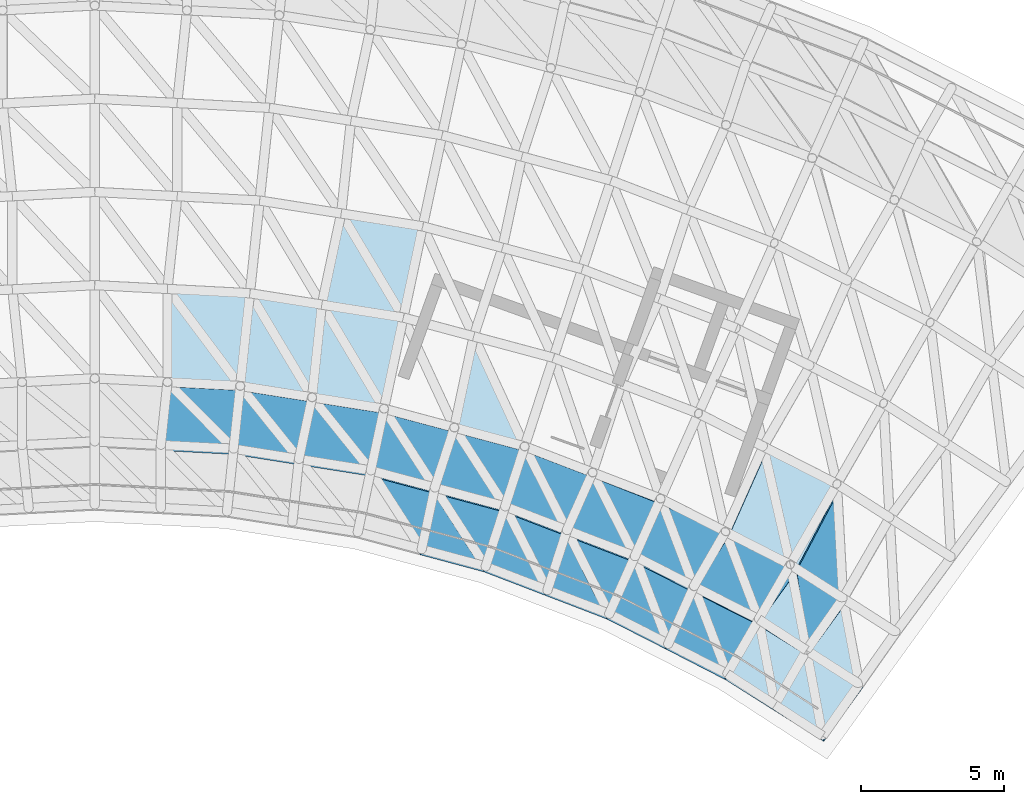
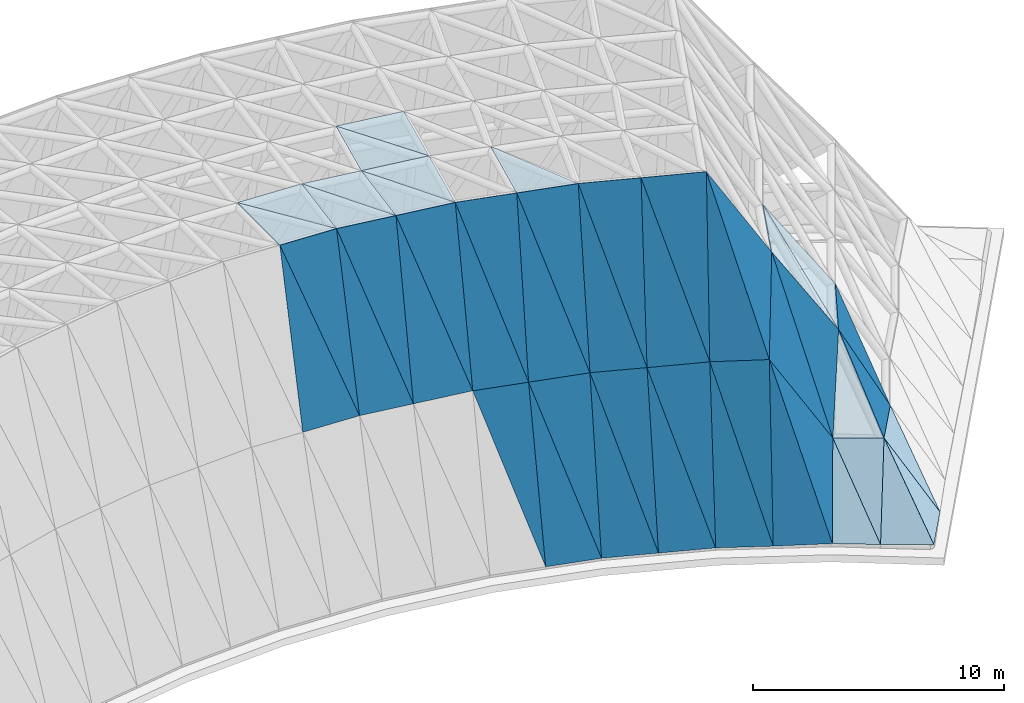
# One storey, part 15 of 20: 48 plates, 25 elements without a shape of their own.
"""IFC4 building model written with IfcOpenShell, lengths in metres."""

from ifc_helpers import new_model, si_unit, direction, frame, origin, place, context, subcontext, project, spatial, polyline, outline, extrude, material, layer, layer_set, type_object, element, aggregate, save


model = new_model("IFC4")

# Units and contexts
model_context = context("Model", 3, precision=1e-05, world=origin(), true_north=direction((0.0, 1.0)))
body_context = subcontext(model_context, "Body", "Model", "MODEL_VIEW")
ifc_project = project(units=[si_unit("LENGTHUNIT", "METRE"), si_unit("AREAUNIT", "SQUARE_METRE"), si_unit("VOLUMEUNIT", "CUBIC_METRE"), si_unit("PLANEANGLEUNIT", "RADIAN"), si_unit("MASSUNIT", "GRAM", prefix="KILO")], contexts=[model_context])

# Site, building, storey
site_placement = place(None, origin())
site = spatial("IfcSite", under=ifc_project, at=site_placement, CompositionType="ELEMENT")
building_placement = place(site_placement, origin())
building = spatial("IfcBuilding", under=site, at=building_placement, Name="Stone Belt Terrace Tower", CompositionType="ELEMENT")
storey_placement = place(building_placement, frame((0.0, 0.0, 337.39990234375)))
storey = spatial("IfcBuildingStorey", under=building, at=storey_placement, Name="RF", CompositionType="ELEMENT", Elevation=337.39990234375)

# Curtain wall, plate
ifc_material_1 = material(Name="Structural steel C345", Category="steel")
ifc_layer_1 = layer(ifc_material_1, 0.324951171875)
ifc_layer_set_1 = layer_set([ifc_layer_1], Name="CW-F glass point curtain wall")
curtain_wall_type = type_object("IfcCurtainWallType", Name="CW-F glass point curtain wall", PredefinedType="NOTDEFINED", material=ifc_layer_set_1)
curtain_wall_1_placement = place(storey_placement, origin())
curtain_wall_1 = element("IfcCurtainWall", 1, at=curtain_wall_1_placement, inside=storey, type_object=curtain_wall_type, Name="CW-F glass point panels 11", PredefinedType="NOTDEFINED")
ifc_material_2 = material(Name="Clear double glazed unit")
ifc_layer_2 = layer(ifc_material_2, 0.044921875)
ifc_layer_set_2 = layer_set([ifc_layer_2], Name="Glass point facet panel 45")
plate_type = type_object("IfcPlateType", Name="Glass point facet panel 45", PredefinedType="CURTAIN_PANEL", material=ifc_layer_set_2)
plate_1_placement = place(storey_placement, frame((5.051025390625, 48.07861328125, 15.37060546875), z_axis=(7.518107e-06, 0.000143306316, 0.999999989703), x_axis=(-0.579561946082, 0.814928179666, -0.000112427148)))
plate_1 = element("IfcPlate", 2, at=plate_1_placement, type_object=plate_type, Name="GLASS POINT FACET 211", PredefinedType="CURTAIN_PANEL", context=body_context, shape_type="SweptSolid", body=[
    extrude(outline(polyline([(0.0, 0.0), (4.343090261127461, -2.6526860357918965e-16), (2.553328215257671, -2.256270695542646), (0.0, 0.0)])), origin(), (0.0, 0.0, -1.0), 0.044921875),
])
aggregate(curtain_wall_1, [plate_1])

curtain_wall_2_placement = place(storey_placement, origin())
curtain_wall_2 = element("IfcCurtainWall", 3, at=curtain_wall_2_placement, inside=storey, type_object=curtain_wall_type, Name="CW-F glass point panels 18", PredefinedType="NOTDEFINED")
plate_2_placement = place(storey_placement, frame((5.0517578125, 48.0791015625, 15.37060546875), z_axis=(-0.000193305481, 4.70903e-07, 0.999999981316), x_axis=(-0.998635354697, 0.052224429859, -0.000193066284)))
plate_2 = element("IfcPlate", 4, at=plate_2_placement, type_object=plate_type, Name="GLASS POINT FACET 214", PredefinedType="CURTAIN_PANEL", context=body_context, shape_type="SweptSolid", body=[
    extrude(outline(polyline([(0.0, 0.0), (2.529086071052097, -2.3720520758785015e-18), (2.6987498321561425, -3.4032542813890023), (0.0, 0.0)])), origin(), (0.0, 0.0, -1.0), 0.044921875),
])
aggregate(curtain_wall_2, [plate_2])

curtain_wall_3_placement = place(storey_placement, origin())
curtain_wall_3 = element("IfcCurtainWall", 5, at=curtain_wall_3_placement, inside=storey, type_object=curtain_wall_type, Name="CW-F glass point panels 4", PredefinedType="NOTDEFINED")
plate_3_placement = place(storey_placement, frame((5.051025390625, 48.080078125, 15.371826171875), z_axis=(-0.050275645629, -0.958374347032, 0.281053323069), x_axis=(-0.029081356766, -0.279885099907, -0.959592937416)))
plate_3 = element("IfcPlate", 6, at=plate_3_placement, type_object=plate_type, Name="GLASS POINT FACET 218", PredefinedType="CURTAIN_PANEL", context=body_context, shape_type="SweptSolid", body=[
    extrude(outline(polyline([(0.0, 0.0), (7.975336075819639, 0.0), (0.036867659852601924, -2.5283424373479937), (0.0, 0.0)])), origin(), (0.0, 0.0, -1.0), 0.044921875),
])
aggregate(curtain_wall_3, [plate_3])

curtain_wall_4_placement = place(storey_placement, origin())
curtain_wall_4 = element("IfcCurtainWall", 7, at=curtain_wall_4_placement, inside=storey, type_object=curtain_wall_type, Name="CW-F glass point panels 32", PredefinedType="NOTDEFINED")
plate_4_placement = place(storey_placement, frame((2.5263671875, 48.212646484375, 15.37255859375), z_axis=(-0.050238695922, -0.95837314628, 0.281064024595), x_axis=(0.27525025669, -0.283806955823, -0.91852648738)))
plate_4 = element("IfcPlate", 8, at=plate_4_placement, type_object=plate_type, Name="GLASS POINT FACET 220", PredefinedType="CURTAIN_PANEL", context=body_context, shape_type="SweptSolid", body=[
    extrude(outline(polyline([(0.0, 0.0), (8.331374212685503, 0.0), (7.598862311066771, -2.4206955698296717), (0.0, 0.0)])), origin(), (0.0, 0.0, -1.0), 0.044921875),
])

curtain_wall_5_placement = place(storey_placement, origin())
curtain_wall_5 = element("IfcCurtainWall", 9, at=curtain_wall_5_placement, inside=storey, type_object=curtain_wall_type, Name="CW-F glass point panels 5", PredefinedType="NOTDEFINED")
plate_5_placement = place(storey_placement, frame((11.435791015625, 53.798583984375, 15.3701171875), z_axis=(0.0, 0.0, 1.0), x_axis=(-0.207898265864, -0.978150454199, 0.0)))
plate_5 = element("IfcPlate", 10, at=plate_5_placement, type_object=plate_type, Name="GLASS POINT FACET 242", PredefinedType="CURTAIN_PANEL", context=body_context, shape_type="SweptSolid", body=[
    extrude(outline(polyline([(0.0, 0.0), (3.2517125037814596, 1.1102230246251565e-16), (0.15057735727466665, -2.87626691677679), (0.0, 0.0)])), origin(), (0.0, 0.0, -1.0), 0.044921875),
])

curtain_wall_6_placement = place(storey_placement, origin())
curtain_wall_6 = element("IfcCurtainWall", 11, at=curtain_wall_6_placement, inside=storey, type_object=curtain_wall_type, Name="CW-F glass point panels 12", PredefinedType="NOTDEFINED")
plate_6_placement = place(storey_placement, frame((10.049072265625, 47.287109375, 15.37060546875), z_axis=(2.2455822e-05, 0.00014172957, 0.999999989704), x_axis=(-0.491221684211, 0.871034582736, -0.000112420571)))
plate_6 = element("IfcPlate", 12, at=plate_6_placement, type_object=plate_type, Name="GLASS POINT FACET 243", PredefinedType="CURTAIN_PANEL", context=body_context, shape_type="SweptSolid", body=[
    extrude(outline(polyline([(0.0, 0.0), (4.343344340146995, 3.627140663930723e-18), (2.553511898137059, -2.256257028700415), (0.0, 0.0)])), origin(), (0.0, 0.0, -1.0), 0.044921875),
])

# Plate
plate_7_placement = place(storey_placement, frame((8.591796875, 54.249755859375, 15.3701171875), z_axis=(0.0, 0.0, 1.0), x_axis=(0.512695025304, -0.858570795583, 0.0)))
plate_7 = element("IfcPlate", 13, at=plate_7_placement, type_object=plate_type, Name="GLASS POINT FACET 244", PredefinedType="CURTAIN_PANEL", context=body_context, shape_type="SweptSolid", body=[
    extrude(outline(polyline([(0.0, 0.0), (4.229526178773449, 0.0), (2.3844400318819394, -2.211251469154166), (0.0, 0.0)])), origin(), (0.0, 0.0, -1.0), 0.044921875),
])

# Curtain wall, plate
curtain_wall_7_placement = place(storey_placement, origin())
curtain_wall_7 = element("IfcCurtainWall", 14, at=curtain_wall_7_placement, inside=storey, type_object=curtain_wall_type, Name="CW-F glass point panels 19", PredefinedType="NOTDEFINED")
plate_8_placement = place(storey_placement, frame((10.049560546875, 47.28759765625, 15.37060546875), z_axis=(-0.000192211795, 2.0667339e-05, 0.999999981314), x_axis=(-0.987694753332, 0.156393852057, -0.00019307883)))
plate_8 = element("IfcPlate", 15, at=plate_8_placement, type_object=plate_type, Name="GLASS POINT FACET 246", PredefinedType="CURTAIN_PANEL", context=body_context, shape_type="SweptSolid", body=[
    extrude(outline(polyline([(0.0, 0.0), (2.5289217401925153, 3.417221084182731e-17), (2.6989609294442505, -3.402976632070866), (0.0, 0.0)])), origin(), (0.0, 0.0, -1.0), 0.044921875),
])

curtain_wall_8_placement = place(storey_placement, origin())
curtain_wall_8 = element("IfcCurtainWall", 16, at=curtain_wall_8_placement, inside=storey, type_object=curtain_wall_type, Name="CW-F glass point panels 38", PredefinedType="NOTDEFINED")
plate_9_placement = place(storey_placement, frame((5.050048828125, 48.0791015625, 15.37060546875), z_axis=(0.000214280224, 0.000121389526, 0.999999969674), x_axis=(0.105311271999, 0.994439297021, -0.000143280642)))
plate_9 = element("IfcPlate", 17, at=plate_9_placement, type_object=plate_type, Name="GLASS POINT FACET 247", PredefinedType="CURTAIN_PANEL", context=body_context, shape_type="SweptSolid", body=[
    extrude(outline(polyline([(0.0, 0.0), (3.40786614705938, -4.802928273838099e-18), (-0.13042437028717602, -2.5309830618163556), (0.0, 0.0)])), origin(), (0.0, 0.0, -1.0), 0.044921875),
])
aggregate(curtain_wall_8, [plate_9])

curtain_wall_9_placement = place(storey_placement, origin())
curtain_wall_9 = element("IfcCurtainWall", 18, at=curtain_wall_9_placement, inside=storey, type_object=curtain_wall_type, Name="CW-F glass point panels 44", PredefinedType="NOTDEFINED")
plate_10_placement = place(storey_placement, frame((7.9169921875, 51.070068359375, 15.3701171875), z_axis=(0.0, 0.0, 1.0), x_axis=(-0.106907559456, -0.994268964482, 0.0)))
plate_10 = element("IfcPlate", 19, at=plate_10_placement, type_object=plate_type, Name="GLASS POINT FACET 248", PredefinedType="CURTAIN_PANEL", context=body_context, shape_type="SweptSolid", body=[
    extrude(outline(polyline([(0.0, 0.0), (3.407222224085444, 0.0), (-0.12675791792108848, -2.5366338401568322), (0.0, 0.0)])), origin(), (0.0, 0.0, -1.0), 0.044921875),
])
aggregate(curtain_wall_9, [plate_10])

curtain_wall_10_placement = place(storey_placement, origin())
curtain_wall_10 = element("IfcCurtainWall", 20, at=curtain_wall_10_placement, inside=storey, type_object=curtain_wall_type, Name="CW-F glass point panels 26", PredefinedType="NOTDEFINED")
plate_11_placement = place(storey_placement, frame((5.050048828125, 48.080322265625, 15.371826171875), z_axis=(-0.150020330548, -0.947886976029, 0.281076824191), x_axis=(0.987697236501, -0.156378169431, -0.000192702612)))
plate_11 = element("IfcPlate", 21, at=plate_11_placement, type_object=plate_type, Name="GLASS POINT FACET 249", PredefinedType="CURTAIN_PANEL", context=body_context, shape_type="SweptSolid", body=[
    extrude(outline(polyline([(0.0, 0.0), (2.5338590150782165, 1.0516761073109393e-17), (2.420066429167306, -7.974337365462654), (0.0, 0.0)])), origin(), (0.0, 0.0, -1.0), 0.044921875),
])

# Plate
plate_12_placement = place(storey_placement, frame((10.049072265625, 47.288818359375, 15.371826171875), z_axis=(-0.150080190691, -0.947874054163, 0.281088444812), x_axis=(-0.058162084677, -0.275351553512, -0.959582562307)))
plate_12 = element("IfcPlate", 22, at=plate_12_placement, type_object=plate_type, Name="GLASS POINT FACET 250", PredefinedType="CURTAIN_PANEL", context=body_context, shape_type="SweptSolid", body=[
    extrude(outline(polyline([(0.0, 0.0), (7.97542230600067, 2.7755575615628914e-17), (0.03688109476405674, -2.528132289133365), (0.0, 0.0)])), origin(), (0.0, 0.0, -1.0), 0.044921875),
])

plate_13_placement = place(storey_placement, frame((7.552001953125, 47.6845703125, 15.37255859375), z_axis=(-0.15010131571, -0.947873817517, 0.28107796265), x_axis=(0.244098445647, -0.311027719339, -0.918519301177)))
plate_13 = element("IfcPlate", 23, at=plate_13_placement, type_object=plate_type, Name="GLASS POINT FACET 252", PredefinedType="CURTAIN_PANEL", context=body_context, shape_type="SweptSolid", body=[
    extrude(outline(polyline([(0.0, 0.0), (8.331439394704741, 0.0), (7.598880390337226, -2.4207482281663495), (0.0, 0.0)])), origin(), (0.0, 0.0, -1.0), 0.044921875),
])

aggregate(curtain_wall_4, [plate_4, plate_7, plate_13])

# Curtain wall, plate
curtain_wall_11_placement = place(storey_placement, origin())
curtain_wall_11 = element("IfcCurtainWall", 24, at=curtain_wall_11_placement, inside=storey, type_object=curtain_wall_type, Name="CW-F glass point panels 49", PredefinedType="NOTDEFINED")
plate_14_placement = place(storey_placement, frame((5.05029296875, 48.08056640625, 15.373291015625), z_axis=(-0.150132373407, -0.947882601956, 0.281031747967), x_axis=(0.244616461892, -0.311029098911, -0.918381013634)))
plate_14 = element("IfcPlate", 25, at=plate_14_placement, type_object=plate_type, Name="GLASS POINT FACET 253", PredefinedType="CURTAIN_PANEL", context=body_context, shape_type="SweptSolid", body=[
    extrude(outline(polyline([(0.0, 0.0), (8.333757274493482, 0.0), (7.666501669442908, -2.1998412693774045), (0.0, 0.0)])), origin(), (0.0, 0.0, -1.0), 0.044921875),
])

# Plate
plate_15_placement = place(storey_placement, frame((14.9375, 45.97802734375, 15.37060546875), z_axis=(-0.000188990879, 4.0640519e-05, 0.999999981315), x_axis=(-0.965928212433, 0.258810067713, -0.000193069801)))
plate_15 = element("IfcPlate", 26, at=plate_15_placement, type_object=plate_type, Name="GLASS POINT FACET 278", PredefinedType="CURTAIN_PANEL", context=body_context, shape_type="SweptSolid", body=[
    extrude(outline(polyline([(0.0, 0.0), (2.5290400076379393, -4.960871463487954e-17), (2.6992478173531054, -3.402947639048799), (0.0, 0.0)])), origin(), (0.0, 0.0, -1.0), 0.044921875),
])

plate_16_placement = place(storey_placement, frame((10.048095703125, 47.2890625, 15.371826171875), z_axis=(-0.248292600617, -0.927008107442, 0.281081399625), x_axis=(0.965936853305, -0.258777816475, -0.000192686386)))
plate_16 = element("IfcPlate", 27, at=plate_16_placement, type_object=plate_type, Name="GLASS POINT FACET 281", PredefinedType="CURTAIN_PANEL", context=body_context, shape_type="SweptSolid", body=[
    extrude(outline(polyline([(0.0, 0.0), (2.5340723856588365, -3.6591823321385775e-17), (2.4202485482045, -7.974348505003284), (0.0, 0.0)])), origin(), (0.0, 0.0, -1.0), 0.044921875),
])

aggregate(curtain_wall_10, [plate_11, plate_16])

plate_17_placement = place(storey_placement, frame((14.93701171875, 45.979248046875, 15.371826171875), z_axis=(-0.248389796085, -0.926988582164, 0.281059918414), x_axis=(-0.086631649889, -0.267731593614, -0.959590929)))
plate_17 = element("IfcPlate", 28, at=plate_17_placement, type_object=plate_type, Name="GLASS POINT FACET 282", PredefinedType="CURTAIN_PANEL", context=body_context, shape_type="SweptSolid", body=[
    extrude(outline(polyline([(0.0, 0.0), (7.975352768136243, -1.5265566588595902e-16), (0.03688025792491412, -2.528236201074604), (0.0, 0.0)])), origin(), (0.0, 0.0, -1.0), 0.044921875),
])

aggregate(curtain_wall_5, [plate_5, plate_12, plate_17])

plate_18_placement = place(storey_placement, frame((13.56982421875, 41.750732421875, 0.21875), z_axis=(-0.248372627434, -0.92697370761, 0.281124142224), x_axis=(-0.215803370698, 0.33587643775, 0.916851091377)))
plate_18 = element("IfcPlate", 29, at=plate_18_placement, type_object=plate_type, Name="GLASS POINT FACET 283", PredefinedType="CURTAIN_PANEL", context=body_context, shape_type="SweptSolid", body=[
    extrude(outline(polyline([(0.0, 0.0), (8.183900351232085, -4.440892098500626e-16), (7.436875630331283, -2.4161947744703465), (0.0, 0.0)])), origin(), (0.0, 0.0, -1.0), 0.044921875),
])

aggregate(curtain_wall_6, [plate_6, plate_18])

# Curtain wall, plate
curtain_wall_12_placement = place(storey_placement, origin())
curtain_wall_12 = element("IfcCurtainWall", 30, at=curtain_wall_12_placement, inside=storey, type_object=curtain_wall_type, Name="CW-F glass point panels 33", PredefinedType="NOTDEFINED")
plate_19_placement = place(storey_placement, frame((12.4951171875, 46.6337890625, 15.37255859375), z_axis=(-0.248404020165, -0.926986038805, 0.281055735802), x_axis=(0.210225919088, -0.334825948077, -0.918529611628)))
plate_19 = element("IfcPlate", 31, at=plate_19_placement, type_object=plate_type, Name="GLASS POINT FACET 284", PredefinedType="CURTAIN_PANEL", context=body_context, shape_type="SweptSolid", body=[
    extrude(outline(polyline([(0.0, 0.0), (8.331345874695462, 0.0), (7.598857988079458, -2.4206413772759054), (0.0, 0.0)])), origin(), (0.0, 0.0, -1.0), 0.044921875),
])

# Plate
plate_20_placement = place(storey_placement, frame((10.048583984375, 47.289306640625, 15.373291015625), z_axis=(-0.248387406822, -0.926993625379, 0.281045396046), x_axis=(0.210750900371, -0.334904683492, -0.918380591567)))
plate_20 = element("IfcPlate", 32, at=plate_20_placement, type_object=plate_type, Name="GLASS POINT FACET 285", PredefinedType="CURTAIN_PANEL", context=body_context, shape_type="SweptSolid", body=[
    extrude(outline(polyline([(0.0, 0.0), (8.333761104492233, -4.440892098500626e-16), (7.666538899280701, -2.1998278950275574), (0.0, 0.0)])), origin(), (0.0, 0.0, -1.0), 0.044921875),
])

aggregate(curtain_wall_11, [plate_14, plate_20])

plate_21_placement = place(storey_placement, frame((13.5703125, 41.7509765625, 0.2197265625), z_axis=(-0.248504164117, -0.926955131425, 0.281069145838), x_axis=(-0.965892660374, 0.258942790277, 0.0)))
plate_21 = element("IfcPlate", 33, at=plate_21_placement, type_object=plate_type, Name="GLASS POINT FACET 286", PredefinedType="CURTAIN_PANEL", context=body_context, shape_type="SweptSolid", body=[
    extrude(outline(polyline([(0.0, 0.0), (2.302405892870952, 0.0), (2.417888250373724, -7.81885973944515), (0.0, 0.0)])), origin(), (0.0, 0.0, -1.0), 0.044921875),
])

aggregate(curtain_wall_7, [plate_8, plate_15, plate_21])

# Curtain wall, plate
curtain_wall_13_placement = place(storey_placement, origin())
curtain_wall_13 = element("IfcCurtainWall", 34, at=curtain_wall_13_placement, inside=storey, type_object=curtain_wall_type, Name="CW-F glass point panels 45", PredefinedType="NOTDEFINED")
plate_22_placement = place(storey_placement, frame((11.8046875, 44.499267578125, 7.72216796875), z_axis=(-0.248357248325, -0.926996403938, 0.281062883162), x_axis=(-0.058506732039, -0.275268866804, -0.959585334024)))
plate_22 = element("IfcPlate", 35, at=plate_22_placement, type_object=plate_type, Name="GLASS POINT FACET 288", PredefinedType="CURTAIN_PANEL", context=body_context, shape_type="SweptSolid", body=[
    extrude(outline(polyline([(0.0, 0.0), (7.819946787359213, 2.7755575615628914e-17), (-0.034099386190872244, -2.298535518615008), (0.0, 0.0)])), origin(), (0.0, 0.0, -1.0), 0.044921875),
])

curtain_wall_14_placement = place(storey_placement, origin())
curtain_wall_14 = element("IfcCurtainWall", 36, at=curtain_wall_14_placement, inside=storey, type_object=curtain_wall_type, Name="CW-F glass point panels 27", PredefinedType="NOTDEFINED")
plate_23_placement = place(storey_placement, frame((14.93603515625, 45.979736328125, 15.371826171875), z_axis=(-0.34381855023, -0.895983838876, 0.281072526211), x_axis=(0.933601118139, -0.358313989511, -0.000192693729)))
plate_23 = element("IfcPlate", 37, at=plate_23_placement, type_object=plate_type, Name="GLASS POINT FACET 313", PredefinedType="CURTAIN_PANEL", context=body_context, shape_type="SweptSolid", body=[
    extrude(outline(polyline([(0.0, 0.0), (2.533975817173561, -2.4882439858542327e-17), (2.420270286618705, -7.974326887140844), (0.0, 0.0)])), origin(), (0.0, 0.0, -1.0), 0.044921875),
])

curtain_wall_15_placement = place(storey_placement, origin())
curtain_wall_15 = element("IfcCurtainWall", 38, at=curtain_wall_15_placement, inside=storey, type_object=curtain_wall_type, Name="CW-F glass point panels 6", PredefinedType="NOTDEFINED")
plate_24_placement = place(storey_placement, frame((19.742919921875, 44.107177734375, 15.39892578125), z_axis=(-0.355725656556, -0.89245186486, 0.277468784147), x_axis=(-0.124052212149, -0.249173050294, -0.96048104597)))
plate_24 = element("IfcPlate", 39, at=plate_24_placement, type_object=plate_type, Name="GLASS POINT FACET 314", PredefinedType="CURTAIN_PANEL", context=body_context, shape_type="SweptSolid", body=[
    extrude(outline(polyline([(0.0, 0.0), (7.9961763050642425, 8.326672684688674e-17), (0.08903729041879725, -2.6244615080441673), (0.0, 0.0)])), origin(), (0.0, 0.0, -1.0), 0.044921875),
])

curtain_wall_16_placement = place(storey_placement, origin())
curtain_wall_16 = element("IfcCurtainWall", 40, at=curtain_wall_16_placement, inside=storey, type_object=curtain_wall_type, Name="CW-F glass point panels 13", PredefinedType="NOTDEFINED")
plate_25_placement = place(storey_placement, frame((17.859619140625, 40.103515625, 0.21875), z_axis=(-0.343969156352, -0.895913199861, 0.281113425139), x_axis=(-0.179526394061, 0.356606599303, 0.916843502005)))
plate_25 = element("IfcPlate", 41, at=plate_25_placement, type_object=plate_type, Name="GLASS POINT FACET 315", PredefinedType="CURTAIN_PANEL", context=body_context, shape_type="SweptSolid", body=[
    extrude(outline(polyline([(0.0, 0.0), (8.183968095252046, -4.440892098500626e-16), (7.43682940868613, -2.4162435703579517), (0.0, 0.0)])), origin(), (0.0, 0.0, -1.0), 0.044921875),
])

# Plate
plate_26_placement = place(storey_placement, frame((17.30126953125, 45.072265625, 15.37255859375), z_axis=(-0.343916823606, -0.895942488412, 0.281084108228), x_axis=(0.174063991223, -0.354985048767, -0.918524546276)))
plate_26 = element("IfcPlate", 42, at=plate_26_placement, type_object=plate_type, Name="GLASS POINT FACET 316", PredefinedType="CURTAIN_PANEL", context=body_context, shape_type="SweptSolid", body=[
    extrude(outline(polyline([(0.0, 0.0), (8.331391819249806, 0.0), (7.59893116602923, -2.4206420831796795), (0.0, 0.0)])), origin(), (0.0, 0.0, -1.0), 0.044921875),
])

aggregate(curtain_wall_12, [plate_19, plate_26])

# Curtain wall, plate
curtain_wall_17_placement = place(storey_placement, origin())
curtain_wall_17 = element("IfcCurtainWall", 43, at=curtain_wall_17_placement, inside=storey, type_object=curtain_wall_type, Name="CW-F glass point panels 50", PredefinedType="NOTDEFINED")
plate_27_placement = place(storey_placement, frame((14.9365234375, 45.97998046875, 15.373291015625), z_axis=(-0.343998962835, -0.895926187651, 0.281035549083), x_axis=(0.174598897101, -0.355115407829, -0.918372621681)))
plate_27 = element("IfcPlate", 44, at=plate_27_placement, type_object=plate_type, Name="GLASS POINT FACET 317", PredefinedType="CURTAIN_PANEL", context=body_context, shape_type="SweptSolid", body=[
    extrude(outline(polyline([(0.0, 0.0), (8.33383342712605, -4.440892098500626e-16), (7.666538796525492, -2.199761638736481), (0.0, 0.0)])), origin(), (0.0, 0.0, -1.0), 0.044921875),
])
aggregate(curtain_wall_17, [plate_27])

curtain_wall_18_placement = place(storey_placement, origin())
curtain_wall_18 = element("IfcCurtainWall", 45, at=curtain_wall_18_placement, inside=storey, type_object=curtain_wall_type, Name="CW-F glass point panels 20", PredefinedType="NOTDEFINED")
plate_28_placement = place(storey_placement, frame((17.860107421875, 40.103759765625, 0.2197265625), z_axis=(-0.344084828332, -0.895882503345, 0.281069690844), x_axis=(-0.933514955716, 0.358538460216, 0.0)))
plate_28 = element("IfcPlate", 46, at=plate_28_placement, type_object=plate_type, Name="GLASS POINT FACET 318", PredefinedType="CURTAIN_PANEL", context=body_context, shape_type="SweptSolid", body=[
    extrude(outline(polyline([(0.0, 0.0), (2.3022340549708438, -2.7755575615628914e-17), (2.41793499924756, -7.818861039910277), (0.0, 0.0)])), origin(), (0.0, 0.0, -1.0), 0.044921875),
])

curtain_wall_19_placement = place(storey_placement, origin())
curtain_wall_19 = element("IfcCurtainWall", 47, at=curtain_wall_19_placement, inside=storey, type_object=curtain_wall_type, Name="CW-F glass point panels 39", PredefinedType="NOTDEFINED")
plate_29_placement = place(storey_placement, frame((13.569091796875, 41.751220703125, 0.2197265625), z_axis=(-0.343906224263, -0.895952784315, 0.281064258118), x_axis=(0.086541888535, 0.267805310193, 0.959578458158)))
plate_29 = element("IfcPlate", 48, at=plate_29_placement, type_object=plate_type, Name="GLASS POINT FACET 319", PredefinedType="CURTAIN_PANEL", context=body_context, shape_type="SweptSolid", body=[
    extrude(outline(polyline([(0.0, 0.0), (7.820002821241294, -1.8041124150158794e-16), (-0.034828597257454574, -2.294993800736688), (0.0, 0.0)])), origin(), (0.0, 0.0, -1.0), 0.044921875),
])
aggregate(curtain_wall_19, [plate_29])

# Plate
plate_30_placement = place(storey_placement, frame((16.3916015625, 43.021484375, 7.72216796875), z_axis=(-0.343843999348, -0.895973228656, 0.281075217057), x_axis=(-0.086979305476, -0.267650246176, -0.959582172688)))
plate_30 = element("IfcPlate", 49, at=plate_30_placement, type_object=plate_type, Name="GLASS POINT FACET 320", PredefinedType="CURTAIN_PANEL", context=body_context, shape_type="SweptSolid", body=[
    extrude(outline(polyline([(0.0, 0.0), (7.819972550113483, -1.3877787807814457e-16), (-0.03402745076421687, -2.2986346427817286), (0.0, 0.0)])), origin(), (0.0, 0.0, -1.0), 0.044921875),
])

aggregate(curtain_wall_13, [plate_22, plate_30])

plate_31_placement = place(storey_placement, frame((24.455078125, 41.751953125, 7.5166015625), z_axis=(0.724136488976, -0.357603199481, 0.58970017556), x_axis=(-0.170115436137, 0.736023303622, 0.65523311494)))
plate_31 = element("IfcPlate", 50, at=plate_31_placement, type_object=plate_type, Name="GLASS POINT FACET 339", PredefinedType="CURTAIN_PANEL", context=body_context, shape_type="SweptSolid", body=[
    extrude(outline(polyline([(0.0, 0.0), (5.83530691741168, 4.440892098500626e-16), (1.8458806677249076, -2.8186530938200116), (0.0, 0.0)])), origin(), (0.0, 0.0, -1.0), 0.044921875),
])

plate_32_placement = place(storey_placement, frame((24.45556640625, 41.751953125, 7.51611328125), z_axis=(0.75043430739, -0.334180459965, 0.570238345317), x_axis=(-0.503792680992, 0.269259457677, 0.820787596781)))
plate_32 = element("IfcPlate", 51, at=plate_32_placement, type_object=plate_type, Name="GLASS POINT FACET 342", PredefinedType="CURTAIN_PANEL", context=body_context, shape_type="SweptSolid", body=[
    extrude(outline(polyline([(0.0, 0.0), (4.654149714683504, 5.551115123125783e-17), (4.794887019781072, -3.325952867578556), (0.0, 0.0)])), origin(), (0.0, 0.0, -1.0), 0.044921875),
])

aggregate(curtain_wall_16, [plate_25, plate_32])

plate_33_placement = place(storey_placement, frame((19.74169921875, 44.10791015625, 15.39990234375), z_axis=(0.260466849392, -0.88263340941, 0.391299482444), x_axis=(0.490520902678, -0.228108134266, -0.841044542886)))
plate_33 = element("IfcPlate", 52, at=plate_33_placement, type_object=plate_type, Name="GLASS POINT FACET 345", PredefinedType="CURTAIN_PANEL", context=body_context, shape_type="SweptSolid", body=[
    extrude(outline(polyline([(0.0, 0.0), (4.832335003839903, -6.661338147750939e-16), (7.6921889074514915, -3.185641606131259), (0.0, 0.0)])), origin(), (0.0, 0.0, -1.0), 0.044921875),
])

plate_34_placement = place(storey_placement, frame((24.455810546875, 41.7529296875, 7.51708984375), z_axis=(0.160793293773, -0.904366607979, 0.395305647632), x_axis=(-0.307399257947, -0.426483375833, -0.850657173221)))
plate_34 = element("IfcPlate", 53, at=plate_34_placement, type_object=plate_type, Name="GLASS POINT FACET 346", PredefinedType="CURTAIN_PANEL", context=body_context, shape_type="SweptSolid", body=[
    extrude(outline(polyline([(0.0, 0.0), (4.3340227934212, 2.220446049250313e-16), (-3.063807142691954, -3.5044167338378003), (0.0, 0.0)])), origin(), (0.0, 0.0, -1.0), 0.044921875),
])

aggregate(curtain_wall_18, [plate_28, plate_34])

plate_35_placement = place(storey_placement, frame((21.99560546875, 37.987060546875, 0.2607421875), z_axis=(0.243290736415, -0.884447351335, 0.398199071183), x_axis=(-0.138464174945, 0.374660730822, 0.916764423959)))
plate_35 = element("IfcPlate", 54, at=plate_35_placement, type_object=plate_type, Name="GLASS POINT FACET 347", PredefinedType="CURTAIN_PANEL", context=body_context, shape_type="SweptSolid", body=[
    extrude(outline(polyline([(0.0, 0.0), (8.16363578666845, 5.551115123125783e-17), (3.8367458252261115, -1.7290420560315238), (0.0, 0.0)])), origin(), (0.0, 0.0, -1.0), 0.044921875),
])

aggregate(curtain_wall_15, [plate_24, plate_31, plate_35])

# Curtain wall, plate
curtain_wall_20_placement = place(storey_placement, origin())
curtain_wall_20 = element("IfcCurtainWall", 55, at=curtain_wall_20_placement, inside=storey, type_object=curtain_wall_type, Name="CW-F glass point panels 34", PredefinedType="NOTDEFINED")
plate_36_placement = place(storey_placement, frame((22.111572265625, 43.00634765625, 11.337890625), z_axis=(0.24333337692, -0.884427182278, 0.39821781342), x_axis=(0.123707495241, -0.37890639514, -0.917129434345)))
plate_36 = element("IfcPlate", 56, at=plate_36_placement, type_object=plate_type, Name="GLASS POINT FACET 348", PredefinedType="CURTAIN_PANEL", context=body_context, shape_type="SweptSolid", body=[
    extrude(outline(polyline([(0.0, 0.0), (8.186208204470557, 1.942890293094024e-16), (3.886385295878086, -1.7952955535787367), (0.0, 0.0)])), origin(), (0.0, 0.0, -1.0), 0.044921875),
])

curtain_wall_21_placement = place(storey_placement, origin())
curtain_wall_21 = element("IfcCurtainWall", 57, at=curtain_wall_21_placement, inside=storey, type_object=curtain_wall_type, Name="CW-F glass point panels 46", PredefinedType="NOTDEFINED")
plate_37_placement = place(storey_placement, frame((19.7421875, 44.10791015625, 15.400146484375), z_axis=(-0.436015947736, -0.855814093802, 0.278338517223), x_axis=(0.135043229502, -0.368003797399, -0.919965505476)))
plate_37 = element("IfcPlate", 58, at=plate_37_placement, type_object=plate_type, Name="GLASS POINT FACET 349", PredefinedType="CURTAIN_PANEL", context=body_context, shape_type="SweptSolid", body=[
    extrude(outline(polyline([(0.0, 0.0), (8.325242089282765, 0.0), (7.665111384984593, -2.2779687754145392), (0.0, 0.0)])), origin(), (0.0, 0.0, -1.0), 0.044921875),
])

curtain_wall_22_placement = place(storey_placement, origin())
curtain_wall_22 = element("IfcCurtainWall", 59, at=curtain_wall_22_placement, inside=storey, type_object=curtain_wall_type, Name="CW-F glass point panels 14", PredefinedType="NOTDEFINED")
plate_38_placement = place(storey_placement, frame((21.99609375, 37.9873046875, 0.26171875), z_axis=(-0.443020117173, -0.851332820796, 0.281008192079), x_axis=(-0.889335425427, 0.456907225216, -0.017840645343)))
plate_38 = element("IfcPlate", 60, at=plate_38_placement, type_object=plate_type, Name="GLASS POINT FACET 350", PredefinedType="CURTAIN_PANEL", context=body_context, shape_type="SweptSolid", body=[
    extrude(outline(polyline([(0.0, 0.0), (2.353737025313796, -4.85722573273506e-17), (2.2691524338250963, -7.841137707577445), (0.0, 0.0)])), origin(), (0.0, 0.0, -1.0), 0.044921875),
])

# Plate
plate_39_placement = place(storey_placement, frame((17.85888671875, 40.104248046875, 0.2197265625), z_axis=(-0.435665699726, -0.855101116824, 0.281064900135), x_axis=(0.114077959044, 0.257284198272, 0.95957858489)))
plate_39 = element("IfcPlate", 61, at=plate_39_placement, type_object=plate_type, Name="GLASS POINT FACET 351", PredefinedType="CURTAIN_PANEL", context=body_context, shape_type="SweptSolid", body=[
    extrude(outline(polyline([(0.0, 0.0), (7.82000178845012, -1.8041124150158794e-16), (-0.03477975959687796, -2.295047302039951), (0.0, 0.0)])), origin(), (0.0, 0.0, -1.0), 0.044921875),
])

aggregate(curtain_wall_14, [plate_23, plate_33, plate_39])

# Curtain wall, plates
curtain_wall_23_placement = place(storey_placement, origin())
curtain_wall_23 = element("IfcCurtainWall", 62, at=curtain_wall_23_placement, inside=storey, type_object=curtain_wall_type, Name="CW-F glass point panels 40", PredefinedType="NOTDEFINED")
plate_40_placement = place(storey_placement, frame((20.866455078125, 41.045166015625, 7.743896484375), z_axis=(-0.435598136895, -0.855128465158, 0.281086412354), x_axis=(-0.122791750571, -0.252899946725, -0.959668590159)))
plate_40 = element("IfcPlate", 63, at=plate_40_placement, type_object=plate_type, Name="GLASS POINT FACET 352", PredefinedType="CURTAIN_PANEL", context=body_context, shape_type="SweptSolid", body=[
    extrude(outline(polyline([(0.0, 0.0), (7.841655652970522, -1.3877787807814457e-17), (0.009635686472605275, -2.3715603577641455), (0.0, 0.0)])), origin(), (0.0, 0.0, -1.0), 0.044921875),
])
plate_41_placement = place(storey_placement, frame((24.45458984375, 41.752685546875, 7.517822265625), z_axis=(0.781008246966, -0.391776871733, 0.486350697487), x_axis=(0.465947740808, 0.884076245271, -0.036081787424)))
plate_41 = element("IfcPlate", 64, at=plate_41_placement, type_object=plate_type, Name="GLASS POINT FACET 375", PredefinedType="CURTAIN_PANEL", context=body_context, shape_type="SweptSolid", body=[
    extrude(outline(polyline([(0.0, 0.0), (3.3696232900557503, -5.551115123125783e-17), (0.06083510903038075, -4.2230150705540215), (0.0, 0.0)])), origin(), (0.0, 0.0, -1.0), 0.044921875),
])

# Curtain wall, plate
curtain_wall_24_placement = place(storey_placement, origin())
curtain_wall_24 = element("IfcCurtainWall", 65, at=curtain_wall_24_placement, inside=storey, type_object=curtain_wall_type, Name="CW-F glass point panels 28", PredefinedType="NOTDEFINED")
plate_42_placement = place(storey_placement, frame((24.45458984375, 41.753662109375, 7.5185546875), z_axis=(0.714120306943, -0.504537327004, 0.485256914295), x_axis=(0.42252966568, -0.242015281833, -0.873439914923)))
plate_42 = element("IfcPlate", 66, at=plate_42_placement, type_object=plate_type, Name="GLASS POINT FACET 377", PredefinedType="CURTAIN_PANEL", context=body_context, shape_type="SweptSolid", body=[
    extrude(outline(polyline([(0.0, 0.0), (4.223769627819308, 0.0), (4.048290671766243, -2.352203186420731), (0.0, 0.0)])), origin(), (0.0, 0.0, -1.0), 0.044921875),
])

curtain_wall_25_placement = place(storey_placement, origin())
curtain_wall_25 = element("IfcCurtainWall", 67, at=curtain_wall_25_placement, inside=storey, type_object=curtain_wall_type, Name="CW-F glass point panels 7", PredefinedType="NOTDEFINED")
plate_43_placement = place(storey_placement, frame((25.41748046875, 35.83935546875, 0.328857421875), z_axis=(0.697083458526, -0.490967129876, 0.52251883146), x_axis=(-0.120769752788, 0.637952139728, 0.760546996725)))
plate_43 = element("IfcPlate", 68, at=plate_43_placement, type_object=plate_type, Name="GLASS POINT FACET 379", PredefinedType="CURTAIN_PANEL", context=body_context, shape_type="SweptSolid", body=[
    extrude(outline(polyline([(0.0, 0.0), (4.681881633820556, 0.0), (1.0009782760084454, -2.1272948782774574), (0.0, 0.0)])), origin(), (0.0, 0.0, -1.0), 0.044921875),
])
aggregate(curtain_wall_25, [plate_43])

# Plate
plate_44_placement = place(storey_placement, frame((26.239013671875, 40.732177734375, 3.83056640625), z_axis=(0.697039516391, -0.490995564761, 0.52255073244), x_axis=(0.119741004812, -0.638827118798, -0.759975002257)))
plate_44 = element("IfcPlate", 69, at=plate_44_placement, type_object=plate_type, Name="GLASS POINT FACET 380", PredefinedType="CURTAIN_PANEL", context=body_context, shape_type="SweptSolid", body=[
    extrude(outline(polyline([(0.0, 0.0), (4.685405447615573, 2.220446049250313e-16), (1.007596737071663, -2.1328636496202193), (0.0, 0.0)])), origin(), (0.0, 0.0, -1.0), 0.044921875),
])

aggregate(curtain_wall_20, [plate_36, plate_44])

plate_45_placement = place(storey_placement, frame((24.455322265625, 41.75390625, 7.518798828125), z_axis=(-0.463118235622, -0.713888848665, 0.525246810162), x_axis=(0.084884685291, -0.625633500494, -0.775485211505)))
plate_45 = element("IfcPlate", 70, at=plate_45_placement, type_object=plate_type, Name="GLASS POINT FACET 381", PredefinedType="CURTAIN_PANEL", context=body_context, shape_type="SweptSolid", body=[
    extrude(outline(polyline([(0.0, 0.0), (4.682363327830179, 0.0), (3.9028892303384928, -1.8856596777042605), (0.0, 0.0)])), origin(), (0.0, 0.0, -1.0), 0.044921875),
])

aggregate(curtain_wall_21, [plate_37, plate_45])

plate_46_placement = place(storey_placement, frame((25.418212890625, 35.839599609375, 0.328857421875), z_axis=(-0.463075247838, -0.713921038524, 0.525240959554), x_axis=(-0.84772579886, 0.52972799207, -0.027371963116)))
plate_46 = element("IfcPlate", 71, at=plate_46_placement, type_object=plate_type, Name="GLASS POINT FACET 382", PredefinedType="CURTAIN_PANEL", context=body_context, shape_type="SweptSolid", body=[
    extrude(outline(polyline([(0.0, 0.0), (2.12280969777646, 6.938893903907228e-17), (1.9642640324541902, -4.250140858762804), (0.0, 0.0)])), origin(), (0.0, 0.0, -1.0), 0.044921875),
])

aggregate(curtain_wall_22, [plate_38, plate_46])

plate_47_placement = place(storey_placement, frame((21.9951171875, 37.98779296875, 0.26220703125), z_axis=(-0.454741036398, -0.71671644647, 0.5287041944), x_axis=(0.2681756148, 0.45589274426, 0.848671694684)))
plate_47 = element("IfcPlate", 72, at=plate_47_placement, type_object=plate_type, Name="GLASS POINT FACET 383", PredefinedType="CURTAIN_PANEL", context=body_context, shape_type="SweptSolid", body=[
    extrude(outline(polyline([(0.0, 0.0), (4.208667929098128, 1.8041124150158794e-16), (-0.024116675957304417, -1.9204046181558854), (0.0, 0.0)])), origin(), (0.0, 0.0, -1.0), 0.044921875),
])

aggregate(curtain_wall_24, [plate_42, plate_47])

plate_48_placement = place(storey_placement, frame((24.85302734375, 38.825439453125, 3.88916015625), z_axis=(-0.463130547557, -0.713910656814, 0.52520631185), x_axis=(-0.290122170557, -0.437823861265, -0.850963802202)))
plate_48 = element("IfcPlate", 73, at=plate_48_placement, type_object=plate_type, Name="GLASS POINT FACET 384", PredefinedType="CURTAIN_PANEL", context=body_context, shape_type="SweptSolid", body=[
    extrude(outline(polyline([(0.0, 0.0), (4.252990098561417, 9.367506770274758e-17), (0.07641382301713255, -2.0389833781647457), (0.0, 0.0)])), origin(), (0.0, 0.0, -1.0), 0.044921875),
])

aggregate(curtain_wall_23, [plate_40, plate_41, plate_48])

save(model, "model.ifc")
